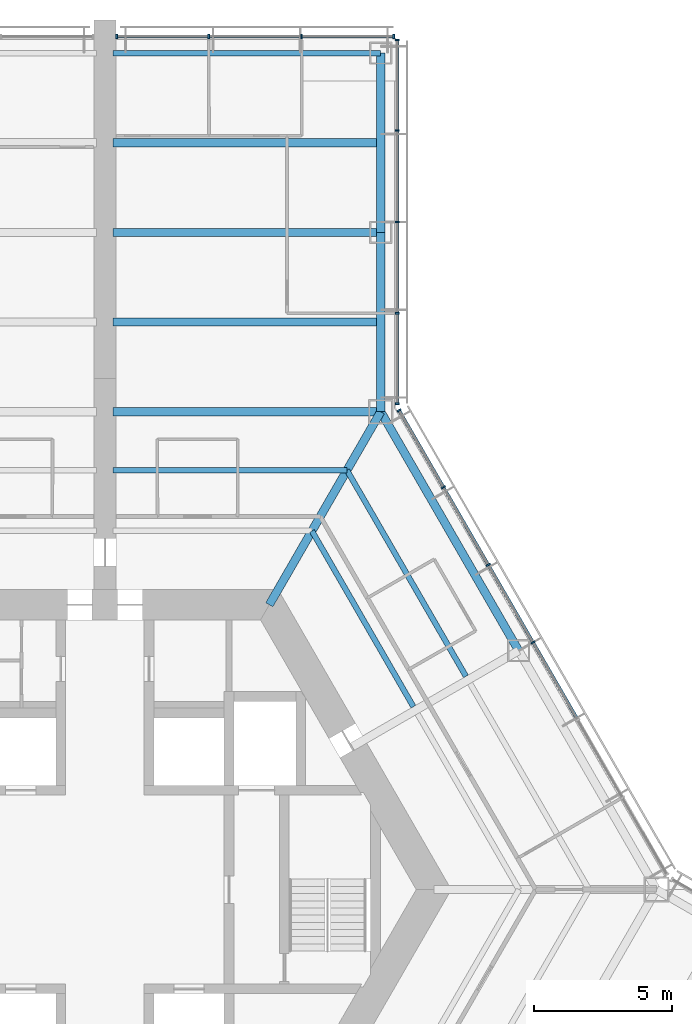
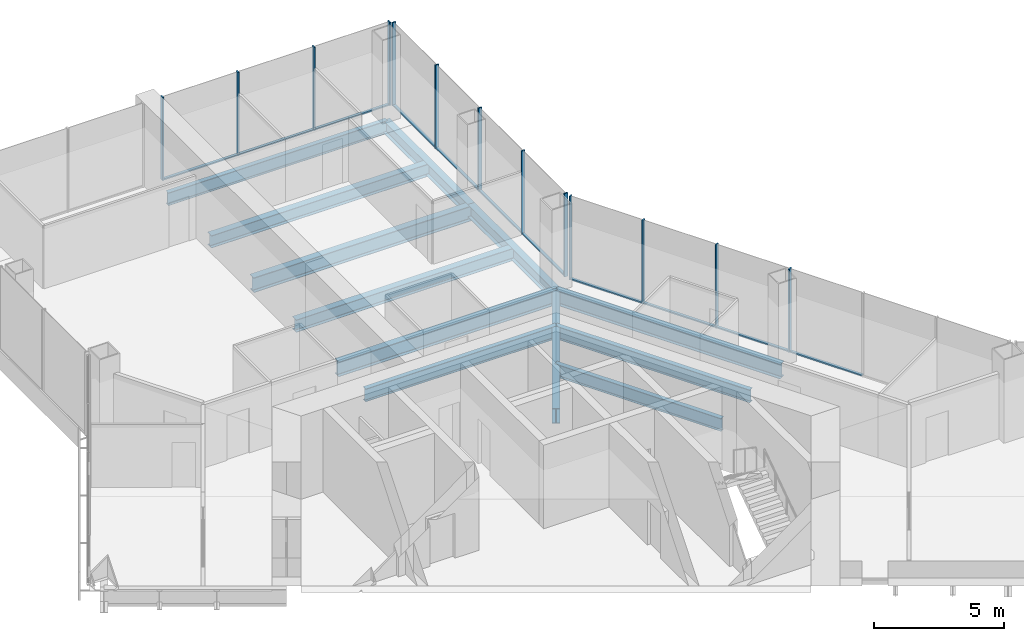
# One storey, part 8 of 18: 24 members, 12 beams, 3 elements without a shape of their own.
"""IFC4 building model written with IfcOpenShell, lengths in metres."""

import ifcopenshell
import ifcopenshell.guid

model = None  # the IFC model being written
_history = None  # IfcOwnerHistory: only IFC2X3 demands one
_inside = {}  # id of a spatial element -> (the spatial element, [elements in it])
_under = {}  # id of a project, library or spatial element -> (it, [spatial elements below it])
_declared = {}  # id of a project -> (the project, [libraries it declares])
_typed = {}  # id of a type object -> (the type object, [elements of that type])
_made_of = {}  # id of a material, layer set ... -> (it, [elements and type objects made of it])


def new_model(schema):
    """Start an empty IFC model of exactly this schema.

    Asked for "IFC4X3", IfcOpenShell would pick the latest addendum, in which some entities
    have other attributes; the version numbers below select the first issue.
    IFC2X3 requires an IfcOwnerHistory on every rooted entity: one is made here for all.
    """
    global model, _history
    if schema == "IFC4X3":
        model = ifcopenshell.file(schema_version=(4, 3, 0, 0))
    else:
        model = ifcopenshell.file(schema=schema)
    _inside.clear()
    _under.clear()
    _declared.clear()
    _typed.clear()
    _made_of.clear()
    _history = None
    if model.schema == "IFC2X3":
        org = make("IfcOrganization", Name="unknown")
        user = make(
            "IfcPersonAndOrganization",
            ThePerson=make("IfcPerson", FamilyName="unknown"),
            TheOrganization=org,
        )
        app = make(
            "IfcApplication",
            ApplicationDeveloper=org,
            Version="unknown",
            ApplicationFullName="unknown",
            ApplicationIdentifier="unknown",
        )
        _history = make(
            "IfcOwnerHistory",
            OwningUser=user,
            OwningApplication=app,
            ChangeAction="ADDED",
            CreationDate=0,
        )
    return model


def make(cls, **values):
    """One entity of the class cls with the attributes given. An attribute that is None is left unset."""
    return model.create_entity(
        cls, **{name: value for name, value in values.items() if value is not None}
    )


def rooted(cls, **values):
    """An entity with a GlobalId (a new one), such as an element, a storey or a relation."""
    return make(cls, GlobalId=ifcopenshell.guid.new(), OwnerHistory=_history, **values)


def si_unit(unit_type, name, prefix=None):
    """IfcSIUnit, for example si_unit("LENGTHUNIT", "METRE", prefix="MILLI")."""
    return make("IfcSIUnit", UnitType=unit_type, Prefix=prefix, Name=name)


def assignment(units):
    """IfcUnitAssignment: the units of a project."""
    return None if units is None else make("IfcUnitAssignment", Units=units)


def point(xyz):
    """IfcCartesianPoint."""
    return None if xyz is None else make("IfcCartesianPoint", Coordinates=xyz)


def direction(xyz):
    """IfcDirection."""
    return None if xyz is None else make("IfcDirection", DirectionRatios=xyz)


def frame(location, z_axis=None, x_axis=None):
    """IfcAxis2Placement3D, a coordinate frame: its origin and axes. An axis left out is left unset."""
    return make(
        "IfcAxis2Placement3D",
        Location=point(location),
        Axis=direction(z_axis),
        RefDirection=direction(x_axis),
    )


def frame_2d(location, x_axis=None):
    """IfcAxis2Placement2D, a coordinate frame in the plane: its origin and x axis."""
    return make(
        "IfcAxis2Placement2D", Location=point(location), RefDirection=direction(x_axis)
    )


def origin():
    """The frame at (0, 0, 0) with its axes left unset."""
    return frame((0.0, 0.0, 0.0))


def origin_2d():
    """The frame at (0, 0) in the plane with its x axis left unset."""
    return frame_2d((0.0, 0.0))


def place(relative_to, where):
    """IfcLocalPlacement: puts the frame where relative to a parent placement (None: the world)."""
    return make(
        "IfcLocalPlacement", PlacementRelTo=relative_to, RelativePlacement=where
    )


def context(
    kind, dimensions, precision=None, world=None, true_north=None, identifier=None
):
    """IfcGeometricRepresentationContext, for example the 3D "Model" context."""
    return make(
        "IfcGeometricRepresentationContext",
        ContextIdentifier=identifier,
        ContextType=kind,
        CoordinateSpaceDimension=dimensions,
        Precision=precision,
        WorldCoordinateSystem=world,
        TrueNorth=true_north,
    )


def subcontext(parent, identifier, kind, view, scale=None):
    """IfcGeometricRepresentationSubContext, for example "Body" below "Model"."""
    return make(
        "IfcGeometricRepresentationSubContext",
        ContextIdentifier=identifier,
        ContextType=kind,
        ParentContext=parent,
        TargetScale=scale,
        TargetView=view,
    )


def project(units=None, contexts=None):
    """IfcProject with its units and contexts."""
    return rooted(
        "IfcProject",
        Name="project",
        RepresentationContexts=contexts,
        UnitsInContext=assignment(units),
    )


def spatial(cls, under=None, at=None, **own):
    """A site, building, storey or space (cls), placed at a placement, below another one or the project."""
    s = rooted(cls, ObjectPlacement=at, **own)
    if under is not None:
        _under.setdefault(under.id(), (under, []))[1].append(s)
    return s


def profile(cls, at=None, kind="AREA", **sizes):
    """A parametric profile (cls). Its sizes go by their IFC names, for example OverallWidth=200.0."""
    return make(cls, ProfileType=kind, Position=at, **sizes)


def rectangle(**sizes):
    """IfcRectangleProfileDef."""
    return profile("IfcRectangleProfileDef", **sizes)


def i_section(**sizes):
    """IfcIShapeProfileDef."""
    return profile("IfcIShapeProfileDef", **sizes)


def extrude(swept, where, along, depth):
    """IfcExtrudedAreaSolid: the profile swept, set in the frame where, extruded along a direction by depth."""
    return make(
        "IfcExtrudedAreaSolid",
        SweptArea=swept,
        Position=where,
        ExtrudedDirection=direction(along),
        Depth=depth,
    )


def shape(context_of_items, identifier, shape_type, items):
    """IfcShapeRepresentation: the items that make up one representation, for example the "Body"."""
    return make(
        "IfcShapeRepresentation",
        ContextOfItems=context_of_items,
        RepresentationIdentifier=identifier,
        RepresentationType=shape_type,
        Items=items,
    )


def material(Name=None, Category=None):
    """IfcMaterial."""
    return make("IfcMaterial", Name=Name, Category=Category)


def material_profile(
    of_material, cross_section, Name=None, Category=None, Priority=None
):
    """IfcMaterialProfile: a cross section and its material."""
    return make(
        "IfcMaterialProfile",
        Name=Name,
        Material=of_material,
        Profile=cross_section,
        Priority=Priority,
        Category=Category,
    )


def profile_set(profiles, Name=None, composite=None):
    """IfcMaterialProfileSet."""
    return make(
        "IfcMaterialProfileSet",
        Name=Name,
        MaterialProfiles=profiles,
        CompositeProfile=composite,
    )


def made_of(thing, what):
    """Note that an element or type object is made of a material, layer set ...; save() writes the relation."""
    if what is not None:
        _made_of.setdefault(what.id(), (what, []))[1].append(thing)
    return thing


def type_object(cls, material=None, **own):
    """A type object (cls), such as IfcWallType, which elements share."""
    return made_of(rooted(cls, **own), material)


def element(
    cls,
    number,
    at=None,
    inside=None,
    cuts=None,
    type_object=None,
    material=None,
    context=None,
    identifier="Body",
    shape_type=None,
    held_by="IfcProductDefinitionShape",
    body=None,
    shapes=None,
    **own,
):
    """One element of the class cls, such as IfcWall. Its Tag is "e" and its number.

    at: its placement. inside: the storey or other place that contains it. cuts: it is an
    opening in that element (IfcRelVoidsElement). A single representation is given by context,
    identifier, shape_type and body (its items); several are given by shapes. held_by: the class
    of the entity that holds the representations. save() writes the other relations.
    """
    e = rooted(cls, Tag="e%d" % number, ObjectPlacement=at, **own)
    if body is not None:
        shapes = [shape(context, identifier, shape_type, body)]
    if shapes is not None:
        e.Representation = make(held_by, Representations=shapes)
    if inside is not None:
        _inside.setdefault(inside.id(), (inside, []))[1].append(e)
    if cuts is not None:
        rooted(
            "IfcRelVoidsElement", RelatingBuildingElement=cuts, RelatedOpeningElement=e
        )
    if type_object is not None:
        _typed.setdefault(type_object.id(), (type_object, []))[1].append(e)
    return made_of(e, material)


def aggregate(whole, parts):
    """IfcRelAggregates: a whole, such as a stair, and the parts it consists of."""
    return rooted("IfcRelAggregates", RelatingObject=whole, RelatedObjects=parts)


def save(model, path):
    """Write the relations noted so far, then the file.

    IfcRelAggregates (storeys below a building ...), IfcRelContainedInSpatialStructure (elements
    in a storey), IfcRelDefinesByType, IfcRelAssociatesMaterial and IfcRelDeclares: one each for
    every whole, place, type object, material and project.
    """
    for whole, parts in _under.values():
        aggregate(whole, parts)
    for where, things in _inside.values():
        rooted(
            "IfcRelContainedInSpatialStructure",
            RelatedElements=things,
            RelatingStructure=where,
        )
    for kind, things in _typed.values():
        rooted("IfcRelDefinesByType", RelatedObjects=things, RelatingType=kind)
    for what, things in _made_of.values():
        rooted("IfcRelAssociatesMaterial", RelatedObjects=things, RelatingMaterial=what)
    for by, libraries in _declared.values():
        rooted("IfcRelDeclares", RelatingContext=by, RelatedDefinitions=libraries)
    model.write(path)


model = new_model("IFC4")

# Units and contexts
model_context = context("Model", 3, precision=1e-05, world=origin(), true_north=direction((0.0, 1.0)))
body_context = subcontext(model_context, "Body", "Model", "MODEL_VIEW")
ifc_project = project(units=[si_unit("LENGTHUNIT", "METRE"), si_unit("AREAUNIT", "SQUARE_METRE"), si_unit("VOLUMEUNIT", "CUBIC_METRE"), si_unit("PLANEANGLEUNIT", "RADIAN"), si_unit("MASSUNIT", "GRAM", prefix="KILO")], contexts=[model_context])

# Site, building, storey
site_placement = place(None, origin())
site = spatial("IfcSite", under=ifc_project, at=site_placement, CompositionType="ELEMENT")
building_placement = place(site_placement, origin())
building = spatial("IfcBuilding", under=site, at=building_placement, Name="Kasaneha Research Tower", CompositionType="ELEMENT")
storey_placement = place(building_placement, frame((0.0, 0.0, 72.89990234375)))
storey = spatial("IfcBuildingStorey", under=building, at=storey_placement, Name="L18", CompositionType="ELEMENT", Elevation=72.89990234375)

# Beams
ifc_material_1 = material(Name="Steel SN490B", Category="steel")
ifc_material_profile_1 = material_profile(ifc_material_1, i_section(OverallWidth=0.199951171875, OverallDepth=0.60009765625, WebThickness=0.010986328125, FlangeThickness=0.01708984375, FilletRadius=0.012939453125, at=origin_2d()), Name="H-600x200x11x17")
ifc_profile_set_1 = profile_set([ifc_material_profile_1], Name="Steel SN490B")
beam_type_1 = type_object("IfcBeamType", Name="B1-3 secondary beam H-600x200x11x17", PredefinedType="JOIST", material=ifc_profile_set_1)
beam_1_placement = place(storey_placement, frame((7.505615234375, 13.0, -0.449951171875), z_axis=(0.499994443168, -0.866028611999, 0.0), x_axis=(0.866028611999, 0.499994443168, 0.0)))
element("IfcBeam", 1, at=beam_1_placement, inside=storey, type_object=beam_type_1, Name="Secondary beam RS030R1 L18", PredefinedType="JOIST", context=body_context, shape_type="SweptSolid", body=[
    extrude(i_section(OverallWidth=0.199951171875, OverallDepth=0.60009765625, WebThickness=0.010986328125, FlangeThickness=0.01708984375, FilletRadius=0.012939453125, at=origin_2d()), origin(), (0.0, 0.0, 1.0), 7.35546875),
])
beam_2_placement = place(storey_placement, frame((8.775634765625, 15.199951171875, -0.449951171875), z_axis=(0.500017275495, -0.866015429543, 0.0), x_axis=(0.866015429543, 0.500017275495, 0.0)))
element("IfcBeam", 2, at=beam_2_placement, inside=storey, type_object=beam_type_1, Name="Secondary beam RS030R2 L18", PredefinedType="JOIST", context=body_context, shape_type="SweptSolid", body=[
    extrude(i_section(OverallWidth=0.199951171875, OverallDepth=0.60009765625, WebThickness=0.010986328125, FlangeThickness=0.01708984375, FilletRadius=0.012939453125, at=origin_2d()), origin(), (0.0, 0.0, 1.0), 8.625732421875),
])
beam_3_placement = place(storey_placement, frame((8.775634765625, 15.199951171875, -0.449951171875), z_axis=(-1.0, 0.0, 0.0), x_axis=(0.0, -1.0, 0.0)))
element("IfcBeam", 3, at=beam_3_placement, inside=storey, type_object=beam_type_1, Name="Secondary beam RS090L2 L18", PredefinedType="JOIST", context=body_context, shape_type="SweptSolid", body=[
    extrude(i_section(OverallWidth=0.199951171875, OverallDepth=0.60009765625, WebThickness=0.010986328125, FlangeThickness=0.01708984375, FilletRadius=0.012939453125, at=origin_2d()), origin(), (0.0, 0.0, 1.0), 8.4755859375),
])
ifc_material_2 = material(Name="Steel SN490B", Category="steel")
ifc_material_profile_2 = material_profile(ifc_material_2, i_section(OverallWidth=0.300048828125, OverallDepth=0.58203125, WebThickness=0.011962890625, FlangeThickness=0.01708984375, FilletRadius=0.012939453125, at=origin_2d()), Name="H-582x300x12x17")
ifc_profile_set_2 = profile_set([ifc_material_profile_2], Name="Steel SN490B")
beam_type_2 = type_object("IfcBeamType", Name="B2-3 secondary beam H-582x300x12x17", PredefinedType="JOIST", material=ifc_profile_set_2)
for number, where, z_axis, x_axis, name in (
    (4, (10.0, 20.570556640625, -0.44091796875), (-1.0, 0.0, 0.0), (0.0, -1.0, 0.0), "Secondary beam WBAP1 L18"),
    (5, (10.0, 27.070556640625, -0.44091796875), (-1.0, 0.0, 0.0), (0.0, -1.0, 0.0), "Secondary beam WBAP2 L18"),
):
    element("IfcBeam", number, at=place(storey_placement, frame(where, z_axis=z_axis, x_axis=x_axis)), inside=storey, type_object=beam_type_2, Name=name, PredefinedType="JOIST", context=body_context, shape_type="SweptSolid", body=[
        extrude(i_section(OverallWidth=0.300048828125, OverallDepth=0.58203125, WebThickness=0.011962890625, FlangeThickness=0.01708984375, FilletRadius=0.012939453125, at=origin_2d()), origin(), (0.0, 0.0, 1.0), 9.699951171875),
    ])

# Curtain wall, members
ifc_material_3 = material(Name="Glass and aluminium", Category="aluminium")
curtain_wall_type = type_object("IfcCurtainWallType", Name="Low-rise office curtain wall", PredefinedType="USERDEFINED", material=ifc_material_3)
curtain_wall_1_placement = place(storey_placement, origin())
curtain_wall_1 = element("IfcCurtainWall", 6, at=curtain_wall_1_placement, inside=storey, type_object=curtain_wall_type, Name="CW-O1 L18 run 07a", ObjectType="UNITISED CURTAIN WALL", PredefinedType="USERDEFINED")
ifc_material_4 = material(Name="Aluminium 6063-T6", Category="aluminium")
ifc_material_profile_3 = material_profile(ifc_material_4, rectangle(XDim=0.06005859375, YDim=0.159912109375, at=origin_2d()), Name="CW-O1 mullion 60x160")
ifc_profile_set_3 = profile_set([ifc_material_profile_3], Name="Aluminium 6063-T6")
member_type_1 = type_object("IfcMemberType", Name="CW-O1 mullion", PredefinedType="MULLION", material=ifc_profile_set_3)
member_1_placement = place(storey_placement, frame((15.51953125, 8.960205078125, 0.0), z_axis=(0.0, 0.0, 1.0), x_axis=(-0.49999996188, 0.866025425793, 0.0)))
member_1 = element("IfcMember", 7, at=member_1_placement, type_object=member_type_1, Name="CW-O1 mullion 4", PredefinedType="MULLION", context=body_context, shape_type="SweptSolid", body=[
    extrude(rectangle(XDim=0.06005859375, YDim=0.159912109375, at=origin_2d()), origin(), (0.0, 0.0, 1.0), 3.900146484375),
])
member_2_placement = place(storey_placement, frame((13.896484375, 11.771728515625, 0.0), z_axis=(0.0, 0.0, 1.0), x_axis=(-0.49999996188, 0.866025425793, 0.0)))
member_2 = element("IfcMember", 8, at=member_2_placement, type_object=member_type_1, Name="CW-O1 mullion 5", PredefinedType="MULLION", context=body_context, shape_type="SweptSolid", body=[
    extrude(rectangle(XDim=0.06005859375, YDim=0.159912109375, at=origin_2d()), origin(), (0.0, 0.0, 1.0), 3.900146484375),
])
member_3_placement = place(storey_placement, frame((12.273193359375, 14.583251953125, 0.0), z_axis=(0.0, 0.0, 1.0), x_axis=(-0.49999996188, 0.866025425793, 0.0)))
member_3 = element("IfcMember", 9, at=member_3_placement, type_object=member_type_1, Name="CW-O1 mullion 6", PredefinedType="MULLION", context=body_context, shape_type="SweptSolid", body=[
    extrude(rectangle(XDim=0.06005859375, YDim=0.159912109375, at=origin_2d()), origin(), (0.0, 0.0, 1.0), 3.900146484375),
])
member_4_placement = place(storey_placement, frame((10.6650390625, 17.36865234375, 0.0), z_axis=(0.0, 0.0, 1.0), x_axis=(-0.49999996188, 0.866025425793, 0.0)))
member_4 = element("IfcMember", 10, at=member_4_placement, type_object=member_type_1, Name="CW-O1 mullion 7", PredefinedType="MULLION", context=body_context, shape_type="SweptSolid", body=[
    extrude(rectangle(XDim=0.06005859375, YDim=0.159912109375, at=origin_2d()), origin(), (0.0, 0.0, 1.0), 3.900146484375),
])

curtain_wall_2_placement = place(storey_placement, origin())
curtain_wall_2 = element("IfcCurtainWall", 11, at=curtain_wall_2_placement, inside=storey, type_object=curtain_wall_type, Name="CW-O1 L18 run 08a", ObjectType="UNITISED CURTAIN WALL", PredefinedType="USERDEFINED")
member_5_placement = place(storey_placement, frame((10.60009765625, 17.611328125, 0.0), z_axis=(0.0, 0.0, 1.0), x_axis=(0.0, 1.0, 0.0)))
member_5 = element("IfcMember", 12, at=member_5_placement, type_object=member_type_1, Name="CW-O1 mullion 1", PredefinedType="MULLION", context=body_context, shape_type="SweptSolid", body=[
    extrude(rectangle(XDim=0.06005859375, YDim=0.159912109375, at=origin_2d()), origin(), (0.0, 0.0, 1.0), 3.900146484375),
])
member_6_placement = place(storey_placement, frame((10.60009765625, 20.89111328125, 0.0), z_axis=(0.0, 0.0, 1.0), x_axis=(0.0, 1.0, 0.0)))
member_6 = element("IfcMember", 13, at=member_6_placement, type_object=member_type_1, Name="CW-O1 mullion 2", PredefinedType="MULLION", context=body_context, shape_type="SweptSolid", body=[
    extrude(rectangle(XDim=0.06005859375, YDim=0.159912109375, at=origin_2d()), origin(), (0.0, 0.0, 1.0), 3.900146484375),
])
member_7_placement = place(storey_placement, frame((10.60009765625, 24.200927734375, 0.0), z_axis=(0.0, 0.0, 1.0), x_axis=(0.0, 1.0, 0.0)))
member_7 = element("IfcMember", 14, at=member_7_placement, type_object=member_type_1, Name="CW-O1 mullion 3", PredefinedType="MULLION", context=body_context, shape_type="SweptSolid", body=[
    extrude(rectangle(XDim=0.06005859375, YDim=0.159912109375, at=origin_2d()), origin(), (0.0, 0.0, 1.0), 3.900146484375),
])
member_8_placement = place(storey_placement, frame((10.60009765625, 27.5107421875, 0.0), z_axis=(0.0, 0.0, 1.0), x_axis=(0.0, 1.0, 0.0)))
member_8 = element("IfcMember", 15, at=member_8_placement, type_object=member_type_1, Name="CW-O1 mullion 4", PredefinedType="MULLION", context=body_context, shape_type="SweptSolid", body=[
    extrude(rectangle(XDim=0.06005859375, YDim=0.159912109375, at=origin_2d()), origin(), (0.0, 0.0, 1.0), 3.900146484375),
])
member_9_placement = place(storey_placement, frame((10.60009765625, 30.79052734375, 0.0), z_axis=(0.0, 0.0, 1.0), x_axis=(0.0, 1.0, 0.0)))
member_9 = element("IfcMember", 16, at=member_9_placement, type_object=member_type_1, Name="CW-O1 mullion 5", PredefinedType="MULLION", context=body_context, shape_type="SweptSolid", body=[
    extrude(rectangle(XDim=0.06005859375, YDim=0.159912109375, at=origin_2d()), origin(), (0.0, 0.0, 1.0), 3.900146484375),
])

curtain_wall_3_placement = place(storey_placement, origin())
curtain_wall_3 = element("IfcCurtainWall", 17, at=curtain_wall_3_placement, inside=storey, type_object=curtain_wall_type, Name="CW-O1 L18 run 09a", ObjectType="UNITISED CURTAIN WALL", PredefinedType="USERDEFINED")
member_10_placement = place(storey_placement, frame((10.469970703125, 30.92041015625, 0.0), z_axis=(0.0, 0.0, 1.0), x_axis=(-1.0, 0.0, 0.0)))
member_10 = element("IfcMember", 18, at=member_10_placement, type_object=member_type_1, Name="CW-O1 mullion 1", PredefinedType="MULLION", context=body_context, shape_type="SweptSolid", body=[
    extrude(rectangle(XDim=0.06005859375, YDim=0.159912109375, at=origin_2d()), origin(), (0.0, 0.0, 1.0), 3.900146484375),
])
member_11_placement = place(storey_placement, frame((7.13330078125, 30.92041015625, 0.0), z_axis=(0.0, 0.0, 1.0), x_axis=(-1.0, 0.0, 0.0)))
member_11 = element("IfcMember", 19, at=member_11_placement, type_object=member_type_1, Name="CW-O1 mullion 2", PredefinedType="MULLION", context=body_context, shape_type="SweptSolid", body=[
    extrude(rectangle(XDim=0.06005859375, YDim=0.159912109375, at=origin_2d()), origin(), (0.0, 0.0, 1.0), 3.900146484375),
])
member_12_placement = place(storey_placement, frame((3.7666015625, 30.92041015625, 0.0), z_axis=(0.0, 0.0, 1.0), x_axis=(-1.0, 0.0, 0.0)))
member_12 = element("IfcMember", 20, at=member_12_placement, type_object=member_type_1, Name="CW-O1 mullion 3", PredefinedType="MULLION", context=body_context, shape_type="SweptSolid", body=[
    extrude(rectangle(XDim=0.06005859375, YDim=0.159912109375, at=origin_2d()), origin(), (0.0, 0.0, 1.0), 3.900146484375),
])
member_13_placement = place(storey_placement, frame((0.429931640625, 30.92041015625, 0.0), z_axis=(0.0, 0.0, 1.0), x_axis=(-1.0, 0.0, 0.0)))
member_13 = element("IfcMember", 21, at=member_13_placement, type_object=member_type_1, Name="CW-O1 mullion 4", PredefinedType="MULLION", context=body_context, shape_type="SweptSolid", body=[
    extrude(rectangle(XDim=0.06005859375, YDim=0.159912109375, at=origin_2d()), origin(), (0.0, 0.0, 1.0), 3.900146484375),
])

# Member
ifc_material_5 = material(Name="Aluminium 6063-T6", Category="aluminium")
ifc_material_profile_4 = material_profile(ifc_material_5, rectangle(XDim=0.1201171875, YDim=0.06005859375, at=origin_2d()), Name="CW-O1 transom 120x60")
ifc_profile_set_4 = profile_set([ifc_material_profile_4], Name="Aluminium 6063-T6")
member_type_2 = type_object("IfcMemberType", Name="CW-O1 transom", PredefinedType="USERDEFINED", material=ifc_profile_set_4)
member_14_placement = place(storey_placement, frame((17.1279296875, 6.1748046875, 0.030029296875), z_axis=(-0.500012062035, 0.866018439653, 0.0), x_axis=(-0.866018439653, -0.500012062035, 0.0)))
member_14 = element("IfcMember", 22, at=member_14_placement, type_object=member_type_2, Name="CW-O1 transom 3", ObjectType="TRANSOM", PredefinedType="USERDEFINED", context=body_context, shape_type="SweptSolid", body=[
    extrude(rectangle(XDim=0.1201171875, YDim=0.06005859375, at=origin_2d()), origin(), (0.0, 0.0, 1.0), 3.1865234375),
])

member_15_placement = place(storey_placement, frame((15.504638671875, 8.986328125, 0.030029296875), z_axis=(-0.500012062035, 0.866018439653, 0.0), x_axis=(-0.866018439653, -0.500012062035, 0.0)))
member_15 = element("IfcMember", 23, at=member_15_placement, type_object=member_type_2, Name="CW-O1 transom 4", ObjectType="TRANSOM", PredefinedType="USERDEFINED", context=body_context, shape_type="SweptSolid", body=[
    extrude(rectangle(XDim=0.1201171875, YDim=0.06005859375, at=origin_2d()), origin(), (0.0, 0.0, 1.0), 3.1865234375),
])

member_16_placement = place(storey_placement, frame((13.88134765625, 11.797607421875, 0.030029296875), z_axis=(-0.500012062035, 0.866018439653, 0.0), x_axis=(-0.866018439653, -0.500012062035, 0.0)))
member_16 = element("IfcMember", 24, at=member_16_placement, type_object=member_type_2, Name="CW-O1 transom 5", ObjectType="TRANSOM", PredefinedType="USERDEFINED", context=body_context, shape_type="SweptSolid", body=[
    extrude(rectangle(XDim=0.1201171875, YDim=0.06005859375, at=origin_2d()), origin(), (0.0, 0.0, 1.0), 3.1865234375),
])

member_17_placement = place(storey_placement, frame((12.25830078125, 14.609130859375, 0.030029296875), z_axis=(-0.500023726918, 0.866011704609, 0.0), x_axis=(-0.866011704609, -0.500023726918, 0.0)))
member_17 = element("IfcMember", 25, at=member_17_placement, type_object=member_type_2, Name="CW-O1 transom 6", ObjectType="TRANSOM", PredefinedType="USERDEFINED", context=body_context, shape_type="SweptSolid", body=[
    extrude(rectangle(XDim=0.1201171875, YDim=0.06005859375, at=origin_2d()), origin(), (0.0, 0.0, 1.0), 3.156494140625),
])

aggregate(curtain_wall_1, [member_1, member_2, member_3, member_4, member_14, member_15, member_16, member_17])

member_18_placement = place(storey_placement, frame((10.60009765625, 17.641357421875, 0.030029296875), z_axis=(0.0, 1.0, 0.0), x_axis=(-1.0, 0.0, 0.0)))
member_18 = element("IfcMember", 26, at=member_18_placement, type_object=member_type_2, Name="CW-O1 transom 1", ObjectType="TRANSOM", PredefinedType="USERDEFINED", context=body_context, shape_type="SweptSolid", body=[
    extrude(rectangle(XDim=0.1201171875, YDim=0.06005859375, at=origin_2d()), origin(), (0.0, 0.0, 1.0), 3.2197265625),
])

member_19_placement = place(storey_placement, frame((10.60009765625, 20.921142578125, 0.030029296875), z_axis=(0.0, 1.0, 0.0), x_axis=(-1.0, 0.0, 0.0)))
member_19 = element("IfcMember", 27, at=member_19_placement, type_object=member_type_2, Name="CW-O1 transom 2", ObjectType="TRANSOM", PredefinedType="USERDEFINED", context=body_context, shape_type="SweptSolid", body=[
    extrude(rectangle(XDim=0.1201171875, YDim=0.06005859375, at=origin_2d()), origin(), (0.0, 0.0, 1.0), 3.249755859375),
])

member_20_placement = place(storey_placement, frame((10.60009765625, 24.23095703125, 0.030029296875), z_axis=(0.0, 1.0, 0.0), x_axis=(-1.0, 0.0, 0.0)))
member_20 = element("IfcMember", 28, at=member_20_placement, type_object=member_type_2, Name="CW-O1 transom 3", ObjectType="TRANSOM", PredefinedType="USERDEFINED", context=body_context, shape_type="SweptSolid", body=[
    extrude(rectangle(XDim=0.1201171875, YDim=0.06005859375, at=origin_2d()), origin(), (0.0, 0.0, 1.0), 3.249755859375),
])

member_21_placement = place(storey_placement, frame((10.60009765625, 27.540771484375, 0.030029296875), z_axis=(0.0, 1.0, 0.0), x_axis=(-1.0, 0.0, 0.0)))
member_21 = element("IfcMember", 29, at=member_21_placement, type_object=member_type_2, Name="CW-O1 transom 4", ObjectType="TRANSOM", PredefinedType="USERDEFINED", context=body_context, shape_type="SweptSolid", body=[
    extrude(rectangle(XDim=0.1201171875, YDim=0.06005859375, at=origin_2d()), origin(), (0.0, 0.0, 1.0), 3.2197265625),
])

aggregate(curtain_wall_2, [member_5, member_6, member_7, member_8, member_9, member_18, member_19, member_20, member_21])

member_22_placement = place(storey_placement, frame((10.43994140625, 30.92041015625, 0.030029296875), z_axis=(-1.0, 0.0, 0.0), x_axis=(0.0, -1.0, 0.0)))
member_22 = element("IfcMember", 30, at=member_22_placement, type_object=member_type_2, Name="CW-O1 transom 1", ObjectType="TRANSOM", PredefinedType="USERDEFINED", context=body_context, shape_type="SweptSolid", body=[
    extrude(rectangle(XDim=0.1201171875, YDim=0.06005859375, at=origin_2d()), origin(), (0.0, 0.0, 1.0), 3.276611328125),
])

member_23_placement = place(storey_placement, frame((7.103271484375, 30.92041015625, 0.030029296875), z_axis=(-1.0, 0.0, 0.0), x_axis=(0.0, -1.0, 0.0)))
member_23 = element("IfcMember", 31, at=member_23_placement, type_object=member_type_2, Name="CW-O1 transom 2", ObjectType="TRANSOM", PredefinedType="USERDEFINED", context=body_context, shape_type="SweptSolid", body=[
    extrude(rectangle(XDim=0.1201171875, YDim=0.06005859375, at=origin_2d()), origin(), (0.0, 0.0, 1.0), 3.306640625),
])

member_24_placement = place(storey_placement, frame((3.736572265625, 30.92041015625, 0.030029296875), z_axis=(-1.0, 0.0, 0.0), x_axis=(0.0, -1.0, 0.0)))
member_24 = element("IfcMember", 32, at=member_24_placement, type_object=member_type_2, Name="CW-O1 transom 3", ObjectType="TRANSOM", PredefinedType="USERDEFINED", context=body_context, shape_type="SweptSolid", body=[
    extrude(rectangle(XDim=0.1201171875, YDim=0.06005859375, at=origin_2d()), origin(), (0.0, 0.0, 1.0), 3.276611328125),
])

aggregate(curtain_wall_3, [member_10, member_11, member_12, member_13, member_22, member_23, member_24])

# Beams
ifc_material_6 = material(Name="Steel SN490B", Category="steel")
ifc_material_profile_5 = material_profile(ifc_material_6, i_section(OverallWidth=0.300048828125, OverallDepth=0.699951171875, WebThickness=0.012939453125, FlangeThickness=0.02392578125, FilletRadius=0.01806640625, at=origin_2d()), Name="H-700x300x13x24")
ifc_profile_set_5 = profile_set([ifc_material_profile_5], Name="Steel SN490B")
beam_type_3 = type_object("IfcBeamType", Name="G1-3 radial girder H-700x300x13x24", PredefinedType="BEAM", material=ifc_profile_set_5)
beam_4_placement = place(storey_placement, frame((5.961181640625, 10.324951171875, -0.5), z_axis=(0.49999105496, 0.866030568144, 0.0), x_axis=(-0.866030568144, 0.49999105496, 0.0)))
element("IfcBeam", 33, at=beam_4_placement, inside=storey, type_object=beam_type_3, Name="Radial girder RV060 L18", PredefinedType="BEAM", context=body_context, shape_type="SweptSolid", body=[
    extrude(i_section(OverallWidth=0.300048828125, OverallDepth=0.699951171875, WebThickness=0.012939453125, FlangeThickness=0.02392578125, FilletRadius=0.01806640625, at=origin_2d()), origin(), (0.0, 0.0, 1.0), 8.077880859375),
])
ifc_material_7 = material(Name="Steel SN490B", Category="steel")
ifc_material_profile_6 = material_profile(ifc_material_7, i_section(OverallWidth=0.300048828125, OverallDepth=0.69189453125, WebThickness=0.012939453125, FlangeThickness=0.02001953125, FilletRadius=0.01806640625, at=origin_2d()), Name="H-692x300x13x20")
ifc_profile_set_6 = profile_set([ifc_material_profile_6], Name="Steel SN490B")
beam_type_4 = type_object("IfcBeamType", Name="G3-3 plate edge girder H-692x300x13x20", PredefinedType="BEAM", material=ifc_profile_set_6)
beam_5_placement = place(storey_placement, frame((10.0, 17.320556640625, -0.495849609375), z_axis=(-1.0, 0.0, 0.0), x_axis=(0.0, -1.0, 0.0)))
element("IfcBeam", 34, at=beam_5_placement, inside=storey, type_object=beam_type_4, Name="Plate edge girder PEAP L18", PredefinedType="BEAM", context=body_context, shape_type="SweptSolid", body=[
    extrude(i_section(OverallWidth=0.300048828125, OverallDepth=0.69189453125, WebThickness=0.012939453125, FlangeThickness=0.02001953125, FilletRadius=0.01806640625, at=origin_2d()), origin(), (0.0, 0.0, 1.0), 9.699951171875),
])
ifc_material_8 = material(Name="Steel SN490B", Category="steel")
ifc_material_profile_7 = material_profile(ifc_material_8, i_section(OverallWidth=0.300048828125, OverallDepth=0.699951171875, WebThickness=0.012939453125, FlangeThickness=0.02392578125, FilletRadius=0.01806640625, at=origin_2d()), Name="H-700x300x13x24")
ifc_profile_set_7 = profile_set([ifc_material_profile_7], Name="Steel SN490B")
beam_type_5 = type_object("IfcBeamType", Name="G4-3 wing girder H-700x300x13x24", PredefinedType="BEAM", material=ifc_profile_set_7)
beam_6_placement = place(storey_placement, frame((10.0, 23.820556640625, -0.5), z_axis=(-1.0, 0.0, 0.0), x_axis=(0.0, -1.0, 0.0)))
element("IfcBeam", 35, at=beam_6_placement, inside=storey, type_object=beam_type_5, Name="Wing girder WGAP L18", PredefinedType="BEAM", context=body_context, shape_type="SweptSolid", body=[
    extrude(i_section(OverallWidth=0.300048828125, OverallDepth=0.699951171875, WebThickness=0.012939453125, FlangeThickness=0.02392578125, FilletRadius=0.01806640625, at=origin_2d()), origin(), (0.0, 0.0, 1.0), 9.699951171875),
])
ifc_material_9 = material(Name="Steel SN490B", Category="steel")
ifc_material_profile_8 = material_profile(ifc_material_9, i_section(OverallWidth=0.300048828125, OverallDepth=0.69189453125, WebThickness=0.012939453125, FlangeThickness=0.02001953125, FilletRadius=0.01806640625, at=origin_2d()), Name="H-692x300x13x20")
ifc_profile_set_8 = profile_set([ifc_material_profile_8], Name="Steel SN490B")
beam_type_6 = type_object("IfcBeamType", Name="SB1-3 spandrel beam H-692x300x13x20", PredefinedType="SPANDREL", material=ifc_profile_set_8)
beam_7_placement = place(storey_placement, frame((10.0, 17.320556640625, -0.495849609375), z_axis=(0.499993662806, -0.866029062534, 0.0), x_axis=(0.866029062534, 0.499993662806, 0.0)))
element("IfcBeam", 36, at=beam_7_placement, inside=storey, type_object=beam_type_6, Name="Spandrel beam SR030R L18", PredefinedType="SPANDREL", context=body_context, shape_type="SweptSolid", body=[
    extrude(i_section(OverallWidth=0.300048828125, OverallDepth=0.69189453125, WebThickness=0.012939453125, FlangeThickness=0.02001953125, FilletRadius=0.01806640625, at=origin_2d()), origin(), (0.0, 0.0, 1.0), 10.000244140625),
])
ifc_material_10 = material(Name="Steel SN490B", Category="steel")
ifc_material_profile_9 = material_profile(ifc_material_10, i_section(OverallWidth=0.300048828125, OverallDepth=0.58203125, WebThickness=0.011962890625, FlangeThickness=0.01708984375, FilletRadius=0.012939453125, at=origin_2d()), Name="H-582x300x12x17")
ifc_profile_set_9 = profile_set([ifc_material_profile_9], Name="Steel SN490B")
beam_type_7 = type_object("IfcBeamType", Name="SB2-3 spandrel beam H-582x300x12x17", PredefinedType="SPANDREL", material=ifc_profile_set_9)
for number, where, z_axis, x_axis, name in (
    (37, (10.0, 17.320556640625, -0.44091796875), (0.0, 1.0, 0.0), (-1.0, 0.0, 0.0), "Spandrel beam WSAP1 L18"),
    (38, (10.0, 23.820556640625, -0.44091796875), (0.0, 1.0, 0.0), (-1.0, 0.0, 0.0), "Spandrel beam WSAP2 L18"),
):
    element("IfcBeam", number, at=place(storey_placement, frame(where, z_axis=z_axis, x_axis=x_axis)), inside=storey, type_object=beam_type_7, Name=name, PredefinedType="SPANDREL", context=body_context, shape_type="SweptSolid", body=[
        extrude(i_section(OverallWidth=0.300048828125, OverallDepth=0.58203125, WebThickness=0.011962890625, FlangeThickness=0.01708984375, FilletRadius=0.012939453125, at=origin_2d()), origin(), (0.0, 0.0, 1.0), 6.5),
    ])
ifc_material_11 = material(Name="Steel SN490B", Category="steel")
ifc_material_profile_10 = material_profile(ifc_material_11, i_section(OverallWidth=0.199951171875, OverallDepth=0.60009765625, WebThickness=0.010986328125, FlangeThickness=0.01708984375, FilletRadius=0.012939453125, at=origin_2d()), Name="H-600x200x11x17")
ifc_profile_set_10 = profile_set([ifc_material_profile_10], Name="Steel SN490B")
beam_type_8 = type_object("IfcBeamType", Name="SB3-3 spandrel beam H-600x200x11x17", PredefinedType="SPANDREL", material=ifc_profile_set_10)
beam_8_placement = place(storey_placement, frame((10.0, 30.320556640625, -0.449951171875), z_axis=(-1.0, 0.0, 0.0), x_axis=(0.0, -1.0, 0.0)))
element("IfcBeam", 39, at=beam_8_placement, inside=storey, type_object=beam_type_8, Name="Spandrel beam WTAP L18", PredefinedType="SPANDREL", context=body_context, shape_type="SweptSolid", body=[
    extrude(i_section(OverallWidth=0.199951171875, OverallDepth=0.60009765625, WebThickness=0.010986328125, FlangeThickness=0.01708984375, FilletRadius=0.012939453125, at=origin_2d()), origin(), (0.0, 0.0, 1.0), 9.699951171875),
])

save(model, "model.ifc")
